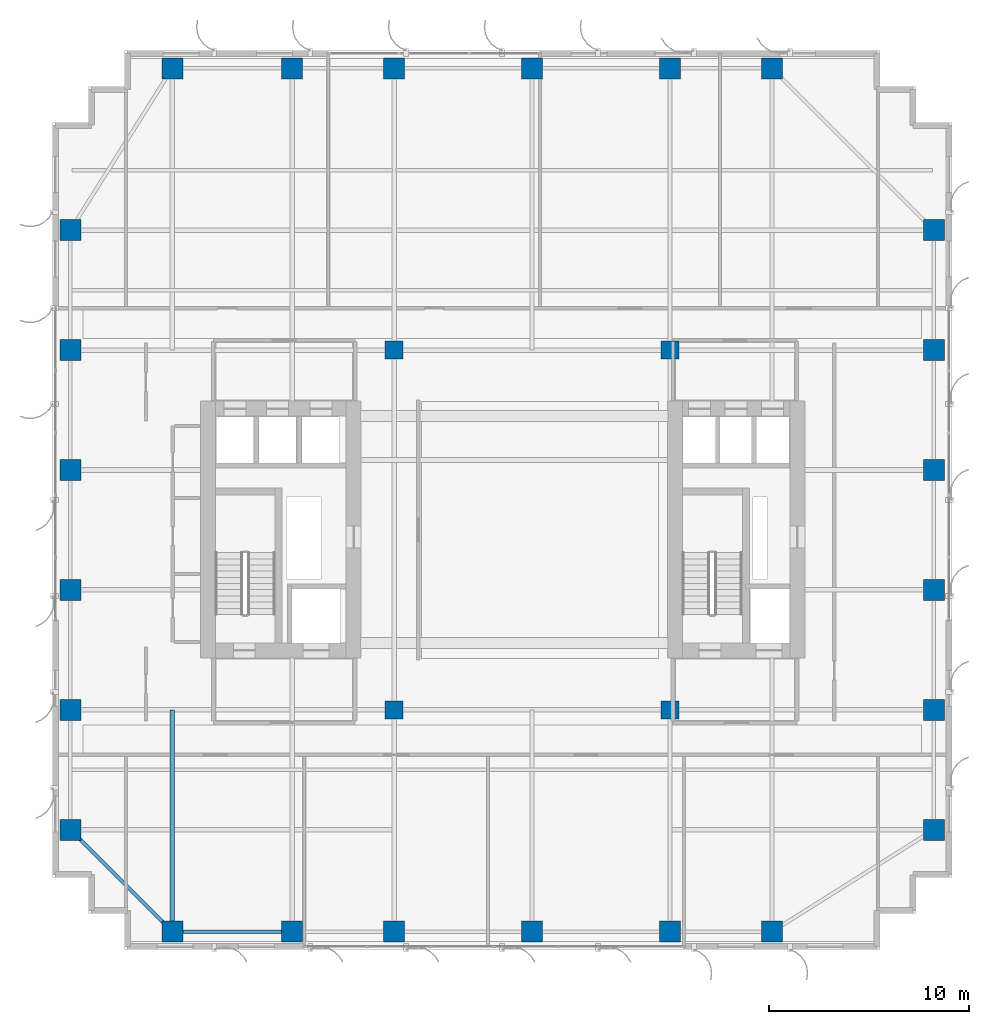
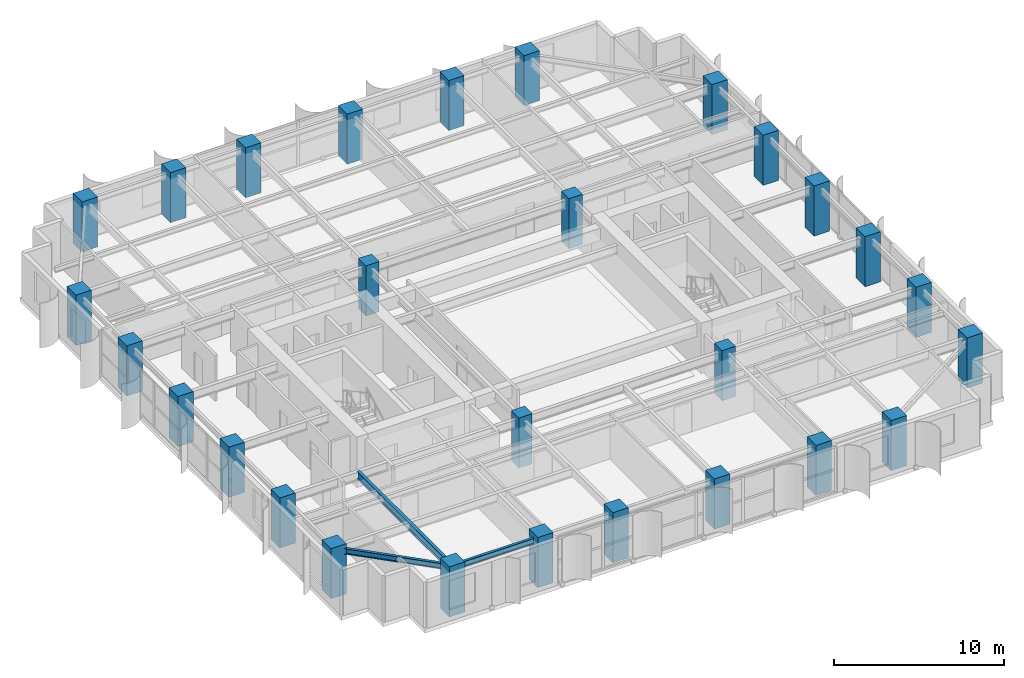
# One storey, part 1 of 28: 28 columns, 3 beams.
"""IFC4 building model written with IfcOpenShell, lengths in metres."""

from ifc_helpers import new_model, si_unit, direction, frame, origin, origin_2d, place, context, subcontext, project, spatial, rectangle, i_section, extrude, source, transform, mapped, material, material_profile, profile_set, type_object, element, save


model = new_model("IFC4")

# Units and contexts
model_context = context("Model", 3, precision=1e-05, world=origin(), true_north=direction((0.0, 1.0)))
body_context = subcontext(model_context, "Body", "Model", "MODEL_VIEW")
ifc_project = project(units=[si_unit("LENGTHUNIT", "METRE"), si_unit("AREAUNIT", "SQUARE_METRE"), si_unit("VOLUMEUNIT", "CUBIC_METRE"), si_unit("PLANEANGLEUNIT", "RADIAN"), si_unit("MASSUNIT", "GRAM", prefix="KILO")], contexts=[model_context])

# Site, building, storey
site_placement = place(None, origin())
site = spatial("IfcSite", under=ifc_project, at=site_placement, CompositionType="ELEMENT")
building_placement = place(site_placement, origin())
building = spatial("IfcBuilding", under=site, at=building_placement, Name="Khoralis Quay Care Tower", CompositionType="ELEMENT")
storey_placement = place(building_placement, frame((0.0, 0.0, 144.89990234375)))
storey = spatial("IfcBuildingStorey", under=building, at=storey_placement, Name="L38", CompositionType="ELEMENT", Elevation=144.89990234375)

# Columns
ifc_material_1 = material(Name="Concrete C65/80", Category="concrete")
ifc_material_profile_1 = material_profile(ifc_material_1, rectangle(XDim=1.050048828125, YDim=1.050048828125, at=origin_2d()), Name="Concrete C65/80")
ifc_profile_set_1 = profile_set([ifc_material_profile_1], Name="Concrete C65/80")
column_type_1 = type_object("IfcColumnType", Name="COL-C1050", PredefinedType="COLUMN", material=ifc_profile_set_1)
shared_shape_1 = source(origin(), body_context, "Body", "SweptSolid", [
    extrude(rectangle(XDim=1.050048828125, YDim=1.050048828125, at=origin_2d()), origin(), (0.0, 0.0, 1.0), 3.60009765625),
])
for number, where, z_axis, x_axis, name in (
    (1, (6.0, 0.89990234375, 0.0), (0.0, 0.0, 1.0), (1.0, 0.0, 0.0), "COL-TWR-L38-01"),
    (2, (6.0, 44.10009765625, 0.0), (0.0, 0.0, 1.0), (1.0, 0.0, 0.0), "COL-TWR-L38-02"),
    (3, (12.0, 0.89990234375, 0.0), (0.0, 0.0, 1.0), (1.0, 0.0, 0.0), "COL-TWR-L38-03"),
    (4, (12.0, 44.10009765625, 0.0), (0.0, 0.0, 1.0), (1.0, 0.0, 0.0), "COL-TWR-L38-04"),
    (5, (17.10009765625, 0.89990234375, 0.0), (0.0, 0.0, 1.0), (1.0, 0.0, 0.0), "COL-TWR-L38-05"),
    (6, (17.10009765625, 44.10009765625, 0.0), (0.0, 0.0, 1.0), (1.0, 0.0, 0.0), "COL-TWR-L38-06"),
    (7, (24.0, 0.89990234375, 0.0), (0.0, 0.0, 1.0), (1.0, 0.0, 0.0), "COL-TWR-L38-07"),
    (8, (24.0, 44.10009765625, 0.0), (0.0, 0.0, 1.0), (1.0, 0.0, 0.0), "COL-TWR-L38-08"),
    (9, (30.89990234375, 0.89990234375, 0.0), (0.0, 0.0, 1.0), (1.0, 0.0, 0.0), "COL-TWR-L38-09"),
    (10, (30.89990234375, 44.10009765625, 0.0), (0.0, 0.0, 1.0), (1.0, 0.0, 0.0), "COL-TWR-L38-10"),
    (11, (36.0, 0.89990234375, 0.0), (0.0, 0.0, 1.0), (1.0, 0.0, 0.0), "COL-TWR-L38-11"),
    (12, (36.0, 44.10009765625, 0.0), (0.0, 0.0, 1.0), (1.0, 0.0, 0.0), "COL-TWR-L38-12"),
    (13, (0.89990234375, 6.0, 0.0), (0.0, 0.0, 1.0), (1.0, 0.0, 0.0), "COL-TWR-L38-13"),
    (14, (44.10009765625, 6.0, 0.0), (0.0, 0.0, 1.0), (1.0, 0.0, 0.0), "COL-TWR-L38-14"),
    (15, (0.89990234375, 12.0, 0.0), (0.0, 0.0, 1.0), (1.0, 0.0, 0.0), "COL-TWR-L38-15"),
    (16, (44.10009765625, 12.0, 0.0), (0.0, 0.0, 1.0), (1.0, 0.0, 0.0), "COL-TWR-L38-16"),
    (17, (0.89990234375, 18.0, 0.0), (0.0, 0.0, 1.0), (1.0, 0.0, 0.0), "COL-TWR-L38-17"),
    (18, (44.10009765625, 18.0, 0.0), (0.0, 0.0, 1.0), (1.0, 0.0, 0.0), "COL-TWR-L38-18"),
    (19, (0.89990234375, 24.0, 0.0), (0.0, 0.0, 1.0), (1.0, 0.0, 0.0), "COL-TWR-L38-19"),
    (20, (44.10009765625, 24.0, 0.0), (0.0, 0.0, 1.0), (1.0, 0.0, 0.0), "COL-TWR-L38-20"),
    (21, (0.89990234375, 30.0, 0.0), (0.0, 0.0, 1.0), (1.0, 0.0, 0.0), "COL-TWR-L38-21"),
    (22, (44.10009765625, 30.0, 0.0), (0.0, 0.0, 1.0), (1.0, 0.0, 0.0), "COL-TWR-L38-22"),
    (23, (0.89990234375, 36.0, 0.0), (0.0, 0.0, 1.0), (1.0, 0.0, 0.0), "COL-TWR-L38-23"),
    (24, (44.10009765625, 36.0, 0.0), (0.0, 0.0, 1.0), (1.0, 0.0, 0.0), "COL-TWR-L38-24"),
):
    element("IfcColumn", number, at=place(storey_placement, frame(where, z_axis=z_axis, x_axis=x_axis)), inside=storey, type_object=column_type_1, Name=name, PredefinedType="COLUMN", context=body_context, shape_type="MappedRepresentation", body=[
        mapped(shared_shape_1, transform((0.0, 0.0, 0.0), scale=1.0)),
    ])
ifc_material_profile_2 = material_profile(ifc_material_1, rectangle(XDim=0.89990234375, YDim=0.89990234375, at=origin_2d()), Name="Concrete C65/80")
ifc_profile_set_2 = profile_set([ifc_material_profile_2], Name="Concrete C65/80")
column_type_2 = type_object("IfcColumnType", Name="COL-C900", PredefinedType="COLUMN", material=ifc_profile_set_2)
shared_shape_2 = source(origin(), body_context, "Body", "SweptSolid", [
    extrude(rectangle(XDim=0.89990234375, YDim=0.89990234375, at=origin_2d()), origin(), (0.0, 0.0, 1.0), 3.60009765625),
])
for number, where, z_axis, x_axis, name in (
    (25, (17.10009765625, 12.0, 0.0), (0.0, 0.0, 1.0), (1.0, 0.0, 0.0), "COL-TWR-L38-25"),
    (26, (17.10009765625, 30.0, 0.0), (0.0, 0.0, 1.0), (1.0, 0.0, 0.0), "COL-TWR-L38-26"),
    (27, (30.89990234375, 12.0, 0.0), (0.0, 0.0, 1.0), (1.0, 0.0, 0.0), "COL-TWR-L38-27"),
    (28, (30.89990234375, 30.0, 0.0), (0.0, 0.0, 1.0), (1.0, 0.0, 0.0), "COL-TWR-L38-28"),
):
    element("IfcColumn", number, at=place(storey_placement, frame(where, z_axis=z_axis, x_axis=x_axis)), inside=storey, type_object=column_type_2, Name=name, PredefinedType="COLUMN", context=body_context, shape_type="MappedRepresentation", body=[
        mapped(shared_shape_2, transform((0.0, 0.0, 0.0), scale=1.0)),
    ])

# Beams
ifc_material_2 = material(Name="Steel S355", Category="steel")
ifc_material_profile_3 = material_profile(ifc_material_2, i_section(OverallWidth=0.179931640625, OverallDepth=0.39990234375, WebThickness=0.008544921875, FlangeThickness=0.013427734375, FilletRadius=0.02099609375, at=origin_2d()), Name="Steel S355")
ifc_profile_set_3 = profile_set([ifc_material_profile_3], Name="Steel S355")
beam_type_1 = type_object("IfcBeamType", Name="BM-IPE400", PredefinedType="SPANDREL", material=ifc_profile_set_3)
shared_shape_3 = source(origin(), body_context, "Body", "SweptSolid", [
    extrude(i_section(OverallWidth=0.179931640625, OverallDepth=0.39990234375, WebThickness=0.008544921875, FlangeThickness=0.013427734375, FilletRadius=0.02099609375, at=origin_2d()), origin(), (0.0, 0.0, 1.0), 6.0),
])
beam_1_placement = place(storey_placement, frame((6.0, 0.89990234375, 3.080078125), z_axis=(1.0, 0.0, 0.0), x_axis=(0.0, 1.0, 0.0)))
element("IfcBeam", 29, at=beam_1_placement, inside=storey, type_object=beam_type_1, Name="BM-TSP-L38-01", PredefinedType="SPANDREL", context=body_context, shape_type="MappedRepresentation", body=[
    mapped(shared_shape_3, transform((0.0, 0.0, 0.0), scale=1.0)),
])
shared_shape_4 = source(origin(), body_context, "Body", "SweptSolid", [
    extrude(i_section(OverallWidth=0.179931640625, OverallDepth=0.39990234375, WebThickness=0.008544921875, FlangeThickness=0.013427734375, FilletRadius=0.02099609375, at=origin_2d()), origin(), (0.0, 0.0, 1.0), 7.212646484375),
])
beam_2_placement = place(storey_placement, frame((6.0, 0.89990234375, 3.080078125), z_axis=(-0.707106781187, 0.707106781187, 0.0), x_axis=(-0.707106781187, -0.707106781187, 0.0)))
element("IfcBeam", 30, at=beam_2_placement, inside=storey, type_object=beam_type_1, Name="BM-TCR-L38-21", PredefinedType="SPANDREL", context=body_context, shape_type="MappedRepresentation", body=[
    mapped(shared_shape_4, transform((0.0, 0.0, 0.0), scale=1.0)),
])
ifc_material_profile_4 = material_profile(ifc_material_2, i_section(OverallWidth=0.2119140625, OverallDepth=0.5439453125, WebThickness=0.01318359375, FlangeThickness=0.021240234375, FilletRadius=0.01611328125, at=origin_2d()), Name="Steel S355")
ifc_profile_set_4 = profile_set([ifc_material_profile_4], Name="Steel S355")
beam_type_2 = type_object("IfcBeamType", Name="BM-W530X123", PredefinedType="BEAM", material=ifc_profile_set_4)
shared_shape_5 = source(origin(), body_context, "Body", "SweptSolid", [
    extrude(i_section(OverallWidth=0.2119140625, OverallDepth=0.5439453125, WebThickness=0.01318359375, FlangeThickness=0.021240234375, FilletRadius=0.01611328125, at=origin_2d()), origin(), (0.0, 0.0, 1.0), 11.10009765625),
])
beam_3_placement = place(storey_placement, frame((6.0, 0.89990234375, 3.008056640625), z_axis=(0.0, 1.0, 0.0), x_axis=(-1.0, 0.0, 0.0)))
element("IfcBeam", 31, at=beam_3_placement, inside=storey, type_object=beam_type_2, Name="BM-TGYS-L38-60", PredefinedType="BEAM", context=body_context, shape_type="MappedRepresentation", body=[
    mapped(shared_shape_5, transform((0.0, 0.0, 0.0), scale=1.0)),
])

save(model, "model.ifc")
